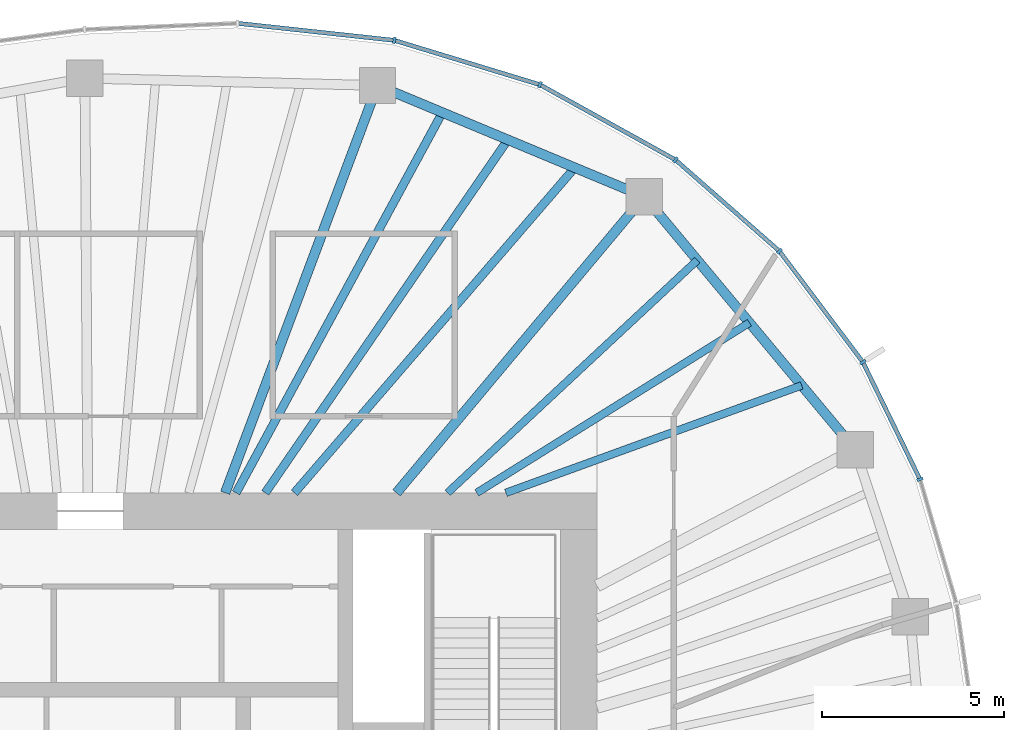
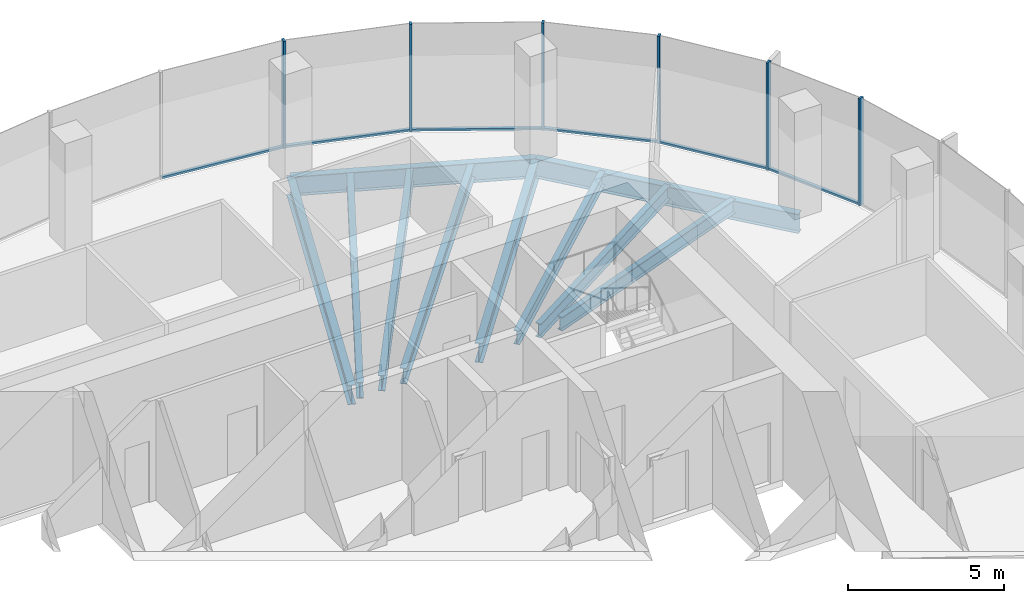
# One storey, part 6 of 11: 12 members, 10 beams, 4 elements without a shape of their own.
"""IFC4 building model written with IfcOpenShell, lengths in metres."""

from ifc_helpers import new_model, si_unit, direction, frame, origin, origin_2d, place, context, subcontext, project, spatial, rectangle, i_section, extrude, material, material_profile, profile_set, type_object, element, aggregate, save


model = new_model("IFC4")

# Units and contexts
model_context = context("Model", 3, precision=1e-05, world=origin(), true_north=direction((0.0, 1.0)))
body_context = subcontext(model_context, "Body", "Model", "MODEL_VIEW")
ifc_project = project(units=[si_unit("LENGTHUNIT", "METRE"), si_unit("AREAUNIT", "SQUARE_METRE"), si_unit("VOLUMEUNIT", "CUBIC_METRE"), si_unit("PLANEANGLEUNIT", "RADIAN"), si_unit("MASSUNIT", "GRAM", prefix="KILO")], contexts=[model_context])

# Site, building, storey
site_placement = place(None, origin())
site = spatial("IfcSite", under=ifc_project, at=site_placement, CompositionType="ELEMENT")
building_placement = place(site_placement, origin())
building = spatial("IfcBuilding", under=site, at=building_placement, Name="Ghaith Harvest Tower", CompositionType="ELEMENT")
storey_placement = place(building_placement, frame((0.0, 0.0, 325.800048828125)))
storey = spatial("IfcBuildingStorey", under=building, at=storey_placement, Name="L73", CompositionType="ELEMENT", Elevation=325.800048828125)

# Curtain wall, member
ifc_material_1 = material(Name="Black anodised aluminium and fritted glass", Category="aluminium")
curtain_wall_type = type_object("IfcCurtainWallType", Name="CW-T CURTAIN WALL", PredefinedType="NOTDEFINED", material=ifc_material_1)
curtain_wall_1_placement = place(storey_placement, origin())
curtain_wall_1 = element("IfcCurtainWall", 1, at=curtain_wall_1_placement, inside=storey, type_object=curtain_wall_type, Name="Curtain wall CW-T bay 02 L73", PredefinedType="NOTDEFINED")
ifc_material_2 = material(Name="Aluminium, black anodised", Category="aluminium")
ifc_material_profile_1 = material_profile(ifc_material_2, rectangle(XDim=0.080078125, YDim=0.179931640625, at=origin_2d()), Name="CW-T MULLION 80x180")
ifc_profile_set_1 = profile_set([ifc_material_profile_1], Name="Aluminium, black anodised")
member_type_1 = type_object("IfcMemberType", Name="CW-T MULLION 80x180", PredefinedType="MULLION", material=ifc_profile_set_1)
member_1_placement = place(storey_placement, frame((22.754150390625, 10.272216796875, 0.0), z_axis=(0.0, 0.0, 1.0), x_axis=(-0.361184273709, 0.932494461338, 0.0)))
member_1 = element("IfcMember", 2, at=member_1_placement, type_object=member_type_1, Name="CW-T mullion 2 bay 02 L73", PredefinedType="MULLION", context=body_context, shape_type="SweptSolid", body=[
    extrude(rectangle(XDim=0.080078125, YDim=0.179931640625, at=origin_2d()), origin(), (0.0, 0.0, 1.0), 4.199951171875),
])

# Curtain wall, members
curtain_wall_2_placement = place(storey_placement, origin())
curtain_wall_2 = element("IfcCurtainWall", 3, at=curtain_wall_2_placement, inside=storey, type_object=curtain_wall_type, Name="Curtain wall CW-T bay 03 L73", PredefinedType="NOTDEFINED")
member_2_placement = place(storey_placement, frame((21.18896484375, 13.48486328125, 0.0), z_axis=(0.0, 0.0, 1.0), x_axis=(-0.524482238522, 0.851421388899, 0.0)))
member_2 = element("IfcMember", 4, at=member_2_placement, type_object=member_type_1, Name="CW-T mullion 1 bay 03 L73", PredefinedType="MULLION", context=body_context, shape_type="SweptSolid", body=[
    extrude(rectangle(XDim=0.080078125, YDim=0.179931640625, at=origin_2d()), origin(), (0.0, 0.0, 1.0), 4.199951171875),
])
member_3_placement = place(storey_placement, frame((18.901123046875, 16.527099609375, 0.0), z_axis=(0.0, 0.0, 1.0), x_axis=(-0.679660897075, 0.733526458274, 0.0)))
member_3 = element("IfcMember", 5, at=member_3_placement, type_object=member_type_1, Name="CW-T mullion 2 bay 03 L73", PredefinedType="MULLION", context=body_context, shape_type="SweptSolid", body=[
    extrude(rectangle(XDim=0.080078125, YDim=0.179931640625, at=origin_2d()), origin(), (0.0, 0.0, 1.0), 4.199951171875),
])

curtain_wall_3_placement = place(storey_placement, origin())
curtain_wall_3 = element("IfcCurtainWall", 6, at=curtain_wall_3_placement, inside=storey, type_object=curtain_wall_type, Name="Curtain wall CW-T bay 04 L73", PredefinedType="NOTDEFINED")
member_4_placement = place(storey_placement, frame((16.04931640625, 19.031982421875, 0.0), z_axis=(0.0, 0.0, 1.0), x_axis=(-0.821112053873, 0.570767023385, 0.0)))
member_4 = element("IfcMember", 7, at=member_4_placement, type_object=member_type_1, Name="CW-T mullion 1 bay 04 L73", PredefinedType="MULLION", context=body_context, shape_type="SweptSolid", body=[
    extrude(rectangle(XDim=0.080078125, YDim=0.179931640625, at=origin_2d()), origin(), (0.0, 0.0, 1.0), 4.199951171875),
])
member_5_placement = place(storey_placement, frame((12.334228515625, 21.091796875, 0.0), z_axis=(0.0, 0.0, 1.0), x_axis=(-0.920319269246, 0.391168049123, 0.0)))
member_5 = element("IfcMember", 8, at=member_5_placement, type_object=member_type_1, Name="CW-T mullion 2 bay 04 L73", PredefinedType="MULLION", context=body_context, shape_type="SweptSolid", body=[
    extrude(rectangle(XDim=0.080078125, YDim=0.179931640625, at=origin_2d()), origin(), (0.0, 0.0, 1.0), 4.199951171875),
])

# Curtain wall, member
curtain_wall_4_placement = place(storey_placement, origin())
curtain_wall_4 = element("IfcCurtainWall", 9, at=curtain_wall_4_placement, inside=storey, type_object=curtain_wall_type, Name="Curtain wall CW-T bay 05 L73", PredefinedType="NOTDEFINED")
member_6_placement = place(storey_placement, frame((8.33984375, 22.308837890625, 0.0), z_axis=(0.0, 0.0, 1.0), x_axis=(-0.980000193436, 0.198996534809, 0.0)))
member_6 = element("IfcMember", 10, at=member_6_placement, type_object=member_type_1, Name="CW-T mullion 1 bay 05 L73", PredefinedType="MULLION", context=body_context, shape_type="SweptSolid", body=[
    extrude(rectangle(XDim=0.080078125, YDim=0.179931640625, at=origin_2d()), origin(), (0.0, 0.0, 1.0), 4.199951171875),
])

# Member
ifc_material_3 = material(Name="Aluminium, black anodised", Category="aluminium")
ifc_material_profile_2 = material_profile(ifc_material_3, rectangle(XDim=0.1201171875, YDim=0.080078125, at=origin_2d()), Name="CW-T TRANSOM 120x80")
ifc_profile_set_2 = profile_set([ifc_material_profile_2], Name="Aluminium, black anodised")
member_type_2 = type_object("IfcMemberType", Name="CW-T TRANSOM 120x80", PredefinedType="USERDEFINED", material=ifc_profile_set_2)
member_7_placement = place(storey_placement, frame((22.736572265625, 10.308349609375, 0.0400390625), z_axis=(-0.437965078712, 0.898991985408, 0.0), x_axis=(-0.898991985408, -0.437965078712, 0.0)))
member_7 = element("IfcMember", 11, at=member_7_placement, type_object=member_type_2, Name="CW-T transom 2 bay 02 L73", ObjectType="TRANSOM", PredefinedType="USERDEFINED", context=body_context, shape_type="SweptSolid", body=[
    extrude(rectangle(XDim=0.1201171875, YDim=0.080078125, at=origin_2d()), origin(), (0.0, 0.0, 1.0), 3.493408203125),
])

aggregate(curtain_wall_1, [member_1, member_7])

member_8_placement = place(storey_placement, frame((21.1650390625, 13.516845703125, 0.0400390625), z_axis=(-0.601079103045, 0.799189534392, 0.0), x_axis=(-0.799189534392, -0.601079103045, 0.0)))
member_8 = element("IfcMember", 12, at=member_8_placement, type_object=member_type_2, Name="CW-T transom 1 bay 03 L73", ObjectType="TRANSOM", PredefinedType="USERDEFINED", context=body_context, shape_type="SweptSolid", body=[
    extrude(rectangle(XDim=0.1201171875, YDim=0.080078125, at=origin_2d()), origin(), (0.0, 0.0, 1.0), 3.7265625),
])

member_9_placement = place(storey_placement, frame((18.87109375, 16.553466796875, 0.0400390625), z_axis=(-0.751325799984, 0.659931467865, 0.0), x_axis=(-0.659931467865, -0.751325799984, 0.0)))
member_9 = element("IfcMember", 13, at=member_9_placement, type_object=member_type_2, Name="CW-T transom 2 bay 03 L73", ObjectType="TRANSOM", PredefinedType="USERDEFINED", context=body_context, shape_type="SweptSolid", body=[
    extrude(rectangle(XDim=0.1201171875, YDim=0.080078125, at=origin_2d()), origin(), (0.0, 0.0, 1.0), 3.7158203125),
])

aggregate(curtain_wall_2, [member_2, member_8, member_3, member_9])

member_10_placement = place(storey_placement, frame((16.01416015625, 19.051513671875, 0.0400390625), z_axis=(-0.874552130553, 0.484931511603, 0.0), x_axis=(-0.484931511603, -0.874552130553, 0.0)))
member_10 = element("IfcMember", 14, at=member_10_placement, type_object=member_type_2, Name="CW-T transom 1 bay 04 L73", ObjectType="TRANSOM", PredefinedType="USERDEFINED", context=body_context, shape_type="SweptSolid", body=[
    extrude(rectangle(XDim=0.1201171875, YDim=0.080078125, at=origin_2d()), origin(), (0.0, 0.0, 1.0), 4.16748046875),
])

member_11_placement = place(storey_placement, frame((12.296142578125, 21.103515625, 0.0400390625), z_axis=(-0.956593713342, 0.291424891858, 0.0), x_axis=(-0.291424891858, -0.956593713342, 0.0)))
member_11 = element("IfcMember", 15, at=member_11_placement, type_object=member_type_2, Name="CW-T transom 2 bay 04 L73", ObjectType="TRANSOM", PredefinedType="USERDEFINED", context=body_context, shape_type="SweptSolid", body=[
    extrude(rectangle(XDim=0.1201171875, YDim=0.080078125, at=origin_2d()), origin(), (0.0, 0.0, 1.0), 4.095703125),
])

aggregate(curtain_wall_3, [member_4, member_10, member_5, member_11])

member_12_placement = place(storey_placement, frame((8.300048828125, 22.313232421875, 0.0400390625), z_axis=(-0.994144463069, 0.108059180768, 0.0), x_axis=(-0.108059180768, -0.994144463069, 0.0)))
member_12 = element("IfcMember", 16, at=member_12_placement, type_object=member_type_2, Name="CW-T transom 1 bay 05 L73", ObjectType="TRANSOM", PredefinedType="USERDEFINED", context=body_context, shape_type="SweptSolid", body=[
    extrude(rectangle(XDim=0.1201171875, YDim=0.080078125, at=origin_2d()), origin(), (0.0, 0.0, 1.0), 4.24755859375),
])

aggregate(curtain_wall_4, [member_6, member_12])

# Beams
ifc_material_4 = material(Name="Steel ASTM A992 Grade 50", Category="steel")
ifc_material_profile_3 = material_profile(ifc_material_4, i_section(OverallWidth=0.26611328125, OverallDepth=0.758056640625, WebThickness=0.013916015625, FlangeThickness=0.019287109375, at=origin_2d()), Name="W760X161")
ifc_profile_set_3 = profile_set([ifc_material_profile_3], Name="Steel ASTM A992 Grade 50")
beam_type_1 = type_object("IfcBeamType", Name="E760-161 W760X161", PredefinedType="SPANDREL", material=ifc_profile_set_3)
beam_1_placement = place(storey_placement, frame((20.97705078125, 11.087890625, -0.549072265625), z_axis=(-0.640173759088, 0.76823014662, 0.0), x_axis=(-0.76823014662, -0.640173759088, 0.0)))
element("IfcBeam", 17, at=beam_1_placement, inside=storey, type_object=beam_type_1, Name="Edge beam E03 L73", PredefinedType="SPANDREL", context=body_context, shape_type="SweptSolid", body=[
    extrude(i_section(OverallWidth=0.26611328125, OverallDepth=0.758056640625, WebThickness=0.013916015625, FlangeThickness=0.019287109375, at=origin_2d()), origin(), (0.0, 0.0, 1.0), 9.02734375),
])
beam_2_placement = place(storey_placement, frame((15.197998046875, 18.02294921875, -0.549072265625), z_axis=(-0.923119729219, 0.384512633766, 0.0), x_axis=(-0.384512633766, -0.923119729219, 0.0)))
element("IfcBeam", 18, at=beam_2_placement, inside=storey, type_object=beam_type_1, Name="Edge beam E04 L73", PredefinedType="SPANDREL", context=body_context, shape_type="SweptSolid", body=[
    extrude(i_section(OverallWidth=0.26611328125, OverallDepth=0.758056640625, WebThickness=0.013916015625, FlangeThickness=0.019287109375, at=origin_2d()), origin(), (0.0, 0.0, 1.0), 7.9296875),
])
ifc_material_5 = material(Name="Steel ASTM A992 Grade 50", Category="steel")
ifc_material_profile_4 = material_profile(ifc_material_5, i_section(OverallWidth=0.26611328125, OverallDepth=0.758056640625, WebThickness=0.013916015625, FlangeThickness=0.019287109375, at=origin_2d()), Name="W760X161")
ifc_profile_set_4 = profile_set([ifc_material_profile_4], Name="Steel ASTM A992 Grade 50")
beam_type_2 = type_object("IfcBeamType", Name="G760-161 W760X161", PredefinedType="BEAM", material=ifc_profile_set_4)
beam_3_placement = place(storey_placement, frame((8.39990234375, 9.89990234375, -0.549072265625), z_axis=(0.641792628883, 0.766878231215, 0.0), x_axis=(-0.766878231215, 0.641792628883, 0.0)))
element("IfcBeam", 19, at=beam_3_placement, inside=storey, type_object=beam_type_2, Name="Radial girder G04 L73", PredefinedType="BEAM", context=body_context, shape_type="SweptSolid", body=[
    extrude(i_section(OverallWidth=0.26611328125, OverallDepth=0.758056640625, WebThickness=0.013916015625, FlangeThickness=0.019287109375, at=origin_2d()), origin(), (0.0, 0.0, 1.0), 10.59228515625),
])
beam_4_placement = place(storey_placement, frame((3.700927734375, 9.89990234375, -0.549072265625), z_axis=(0.350201332531, 0.936674450753, 0.0), x_axis=(-0.936674450753, 0.350201332531, 0.0)))
element("IfcBeam", 20, at=beam_4_placement, inside=storey, type_object=beam_type_2, Name="Radial girder G05 L73", PredefinedType="BEAM", context=body_context, shape_type="SweptSolid", body=[
    extrude(i_section(OverallWidth=0.26611328125, OverallDepth=0.758056640625, WebThickness=0.013916015625, FlangeThickness=0.019287109375, at=origin_2d()), origin(), (0.0, 0.0, 1.0), 11.927490234375),
])
ifc_material_6 = material(Name="Steel ASTM A992 Grade 50", Category="steel")
ifc_material_profile_5 = material_profile(ifc_material_6, i_section(OverallWidth=0.2109375, OverallDepth=0.5390625, WebThickness=0.01171875, FlangeThickness=0.018798828125, at=origin_2d()), Name="W530X109")
ifc_profile_set_5 = profile_set([ifc_material_profile_5], Name="Steel ASTM A992 Grade 50")
beam_type_3 = type_object("IfcBeamType", Name="J530-109 W530X109", PredefinedType="JOIST", material=ifc_profile_set_5)
beam_5_placement = place(storey_placement, frame((11.39990234375, 9.89990234375, -0.439453125), z_axis=(0.939925501564, 0.341379629605, 0.0), x_axis=(-0.341379629605, 0.939925501564, 0.0)))
element("IfcBeam", 21, at=beam_5_placement, inside=storey, type_object=beam_type_3, Name="Joist J03.1 L73", PredefinedType="JOIST", context=body_context, shape_type="SweptSolid", body=[
    extrude(i_section(OverallWidth=0.2109375, OverallDepth=0.5390625, WebThickness=0.01171875, FlangeThickness=0.018798828125, at=origin_2d()), origin(), (0.0, 0.0, 1.0), 8.630615234375),
])
beam_6_placement = place(storey_placement, frame((10.60009765625, 9.89990234375, -0.439453125), z_axis=(0.84837619421, 0.52939383553, 0.0), x_axis=(-0.52939383553, 0.84837619421, 0.0)))
element("IfcBeam", 22, at=beam_6_placement, inside=storey, type_object=beam_type_3, Name="Joist J03.2 L73", PredefinedType="JOIST", context=body_context, shape_type="SweptSolid", body=[
    extrude(i_section(OverallWidth=0.2109375, OverallDepth=0.5390625, WebThickness=0.01171875, FlangeThickness=0.018798828125, at=origin_2d()), origin(), (0.0, 0.0, 1.0), 8.814697265625),
])
beam_7_placement = place(storey_placement, frame((9.800048828125, 9.89990234375, -0.439453125), z_axis=(0.73164904944, 0.681681500742, 0.0), x_axis=(-0.681681500742, 0.73164904944, 0.0)))
element("IfcBeam", 23, at=beam_7_placement, inside=storey, type_object=beam_type_3, Name="Joist J03.3 L73", PredefinedType="JOIST", context=body_context, shape_type="SweptSolid", body=[
    extrude(i_section(OverallWidth=0.2109375, OverallDepth=0.5390625, WebThickness=0.01171875, FlangeThickness=0.018798828125, at=origin_2d()), origin(), (0.0, 0.0, 1.0), 9.361572265625),
])
ifc_material_7 = material(Name="Steel ASTM A992 Grade 50", Category="steel")
ifc_material_profile_6 = material_profile(ifc_material_7, i_section(OverallWidth=0.22998046875, OverallDepth=0.616943359375, WebThickness=0.01318359375, FlangeThickness=0.022216796875, at=origin_2d()), Name="W610X140")
ifc_profile_set_6 = profile_set([ifc_material_profile_6], Name="Steel ASTM A992 Grade 50")
beam_type_4 = type_object("IfcBeamType", Name="J610-140 W610X140", PredefinedType="JOIST", material=ifc_profile_set_6)
beam_8_placement = place(storey_placement, frame((5.60009765625, 9.89990234375, -0.478515625), z_axis=(0.652992938501, 0.757363995888, 0.0), x_axis=(-0.757363995888, 0.652992938501, 0.0)))
element("IfcBeam", 24, at=beam_8_placement, inside=storey, type_object=beam_type_4, Name="Joist J04.1 L73", PredefinedType="JOIST", context=body_context, shape_type="SweptSolid", body=[
    extrude(i_section(OverallWidth=0.22998046875, OverallDepth=0.616943359375, WebThickness=0.01318359375, FlangeThickness=0.022216796875, at=origin_2d()), origin(), (0.0, 0.0, 1.0), 11.775390625),
])
beam_9_placement = place(storey_placement, frame((4.800048828125, 9.89990234375, -0.478515625), z_axis=(0.566228035119, 0.824248634967, 0.0), x_axis=(-0.824248634967, 0.566228035119, 0.0)))
element("IfcBeam", 25, at=beam_9_placement, inside=storey, type_object=beam_type_4, Name="Joist J04.2 L73", PredefinedType="JOIST", context=body_context, shape_type="SweptSolid", body=[
    extrude(i_section(OverallWidth=0.22998046875, OverallDepth=0.616943359375, WebThickness=0.01318359375, FlangeThickness=0.022216796875, at=origin_2d()), origin(), (0.0, 0.0, 1.0), 11.748046875),
])
beam_10_placement = place(storey_placement, frame((4.0, 9.89990234375, -0.478515625), z_axis=(0.476764926531, 0.879030832696, 0.0), x_axis=(-0.879030832696, 0.476764926531, 0.0)))
element("IfcBeam", 26, at=beam_10_placement, inside=storey, type_object=beam_type_4, Name="Joist J04.3 L73", PredefinedType="JOIST", context=body_context, shape_type="SweptSolid", body=[
    extrude(i_section(OverallWidth=0.22998046875, OverallDepth=0.616943359375, WebThickness=0.01318359375, FlangeThickness=0.022216796875, at=origin_2d()), origin(), (0.0, 0.0, 1.0), 11.866455078125),
])

save(model, "model.ifc")
